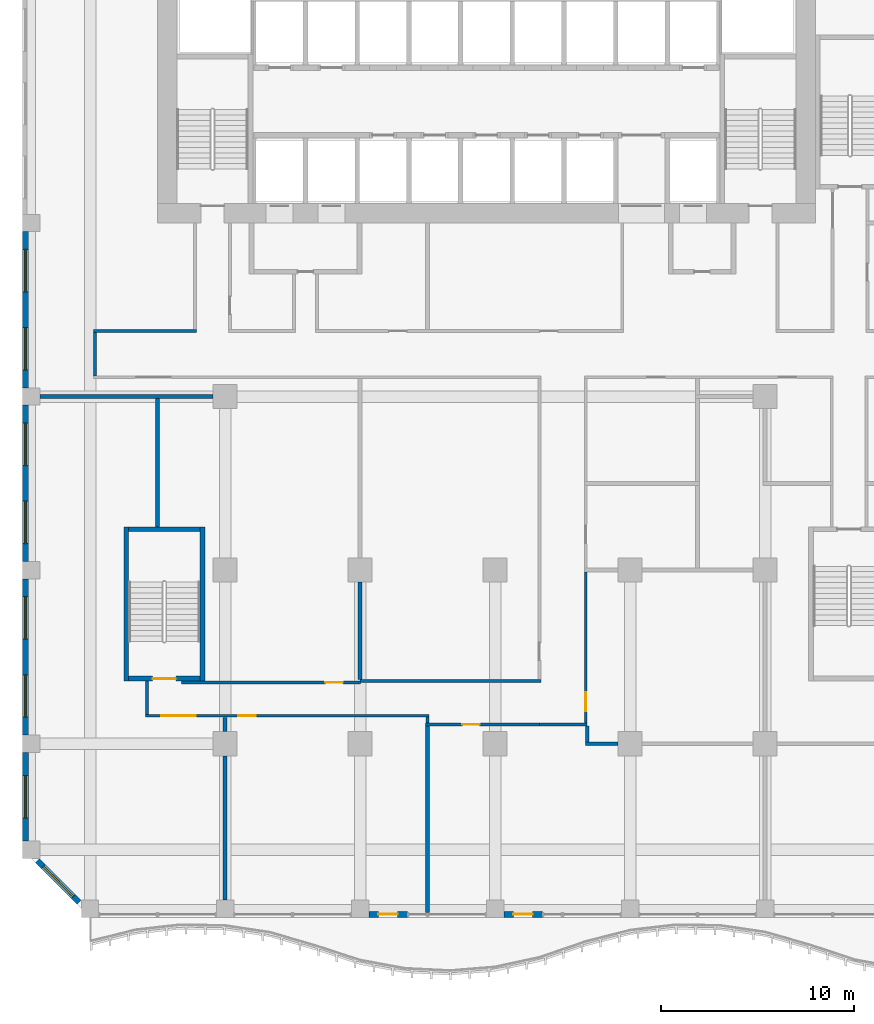
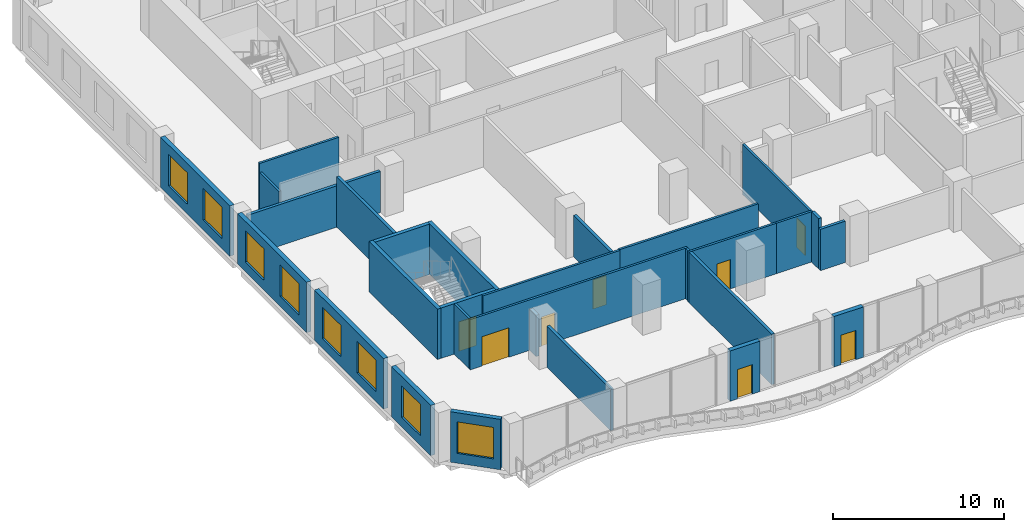
# One storey, part 12 of 21: 29 walls, 8 doors, 8 windows, 16 openings.
"""IFC4 building model written with IfcOpenShell, lengths in metres."""

import ifcopenshell
import ifcopenshell.guid

model = None  # the IFC model being written
_history = None  # IfcOwnerHistory: only IFC2X3 demands one
_inside = {}  # id of a spatial element -> (the spatial element, [elements in it])
_under = {}  # id of a project, library or spatial element -> (it, [spatial elements below it])
_declared = {}  # id of a project -> (the project, [libraries it declares])
_typed = {}  # id of a type object -> (the type object, [elements of that type])
_made_of = {}  # id of a material, layer set ... -> (it, [elements and type objects made of it])


def new_model(schema):
    """Start an empty IFC model of exactly this schema.

    Asked for "IFC4X3", IfcOpenShell would pick the latest addendum, in which some entities
    have other attributes; the version numbers below select the first issue.
    IFC2X3 requires an IfcOwnerHistory on every rooted entity: one is made here for all.
    """
    global model, _history
    if schema == "IFC4X3":
        model = ifcopenshell.file(schema_version=(4, 3, 0, 0))
    else:
        model = ifcopenshell.file(schema=schema)
    _inside.clear()
    _under.clear()
    _declared.clear()
    _typed.clear()
    _made_of.clear()
    _history = None
    if model.schema == "IFC2X3":
        org = make("IfcOrganization", Name="unknown")
        user = make(
            "IfcPersonAndOrganization",
            ThePerson=make("IfcPerson", FamilyName="unknown"),
            TheOrganization=org,
        )
        app = make(
            "IfcApplication",
            ApplicationDeveloper=org,
            Version="unknown",
            ApplicationFullName="unknown",
            ApplicationIdentifier="unknown",
        )
        _history = make(
            "IfcOwnerHistory",
            OwningUser=user,
            OwningApplication=app,
            ChangeAction="ADDED",
            CreationDate=0,
        )
    return model


def make(cls, **values):
    """One entity of the class cls with the attributes given. An attribute that is None is left unset."""
    return model.create_entity(
        cls, **{name: value for name, value in values.items() if value is not None}
    )


def rooted(cls, **values):
    """An entity with a GlobalId (a new one), such as an element, a storey or a relation."""
    return make(cls, GlobalId=ifcopenshell.guid.new(), OwnerHistory=_history, **values)


def si_unit(unit_type, name, prefix=None):
    """IfcSIUnit, for example si_unit("LENGTHUNIT", "METRE", prefix="MILLI")."""
    return make("IfcSIUnit", UnitType=unit_type, Prefix=prefix, Name=name)


def assignment(units):
    """IfcUnitAssignment: the units of a project."""
    return None if units is None else make("IfcUnitAssignment", Units=units)


def point(xyz):
    """IfcCartesianPoint."""
    return None if xyz is None else make("IfcCartesianPoint", Coordinates=xyz)


def direction(xyz):
    """IfcDirection."""
    return None if xyz is None else make("IfcDirection", DirectionRatios=xyz)


def frame(location, z_axis=None, x_axis=None):
    """IfcAxis2Placement3D, a coordinate frame: its origin and axes. An axis left out is left unset."""
    return make(
        "IfcAxis2Placement3D",
        Location=point(location),
        Axis=direction(z_axis),
        RefDirection=direction(x_axis),
    )


def frame_2d(location, x_axis=None):
    """IfcAxis2Placement2D, a coordinate frame in the plane: its origin and x axis."""
    return make(
        "IfcAxis2Placement2D", Location=point(location), RefDirection=direction(x_axis)
    )


def origin():
    """The frame at (0, 0, 0) with its axes left unset."""
    return frame((0.0, 0.0, 0.0))


def place(relative_to, where):
    """IfcLocalPlacement: puts the frame where relative to a parent placement (None: the world)."""
    return make(
        "IfcLocalPlacement", PlacementRelTo=relative_to, RelativePlacement=where
    )


def context(
    kind, dimensions, precision=None, world=None, true_north=None, identifier=None
):
    """IfcGeometricRepresentationContext, for example the 3D "Model" context."""
    return make(
        "IfcGeometricRepresentationContext",
        ContextIdentifier=identifier,
        ContextType=kind,
        CoordinateSpaceDimension=dimensions,
        Precision=precision,
        WorldCoordinateSystem=world,
        TrueNorth=true_north,
    )


def subcontext(parent, identifier, kind, view, scale=None):
    """IfcGeometricRepresentationSubContext, for example "Body" below "Model"."""
    return make(
        "IfcGeometricRepresentationSubContext",
        ContextIdentifier=identifier,
        ContextType=kind,
        ParentContext=parent,
        TargetScale=scale,
        TargetView=view,
    )


def project(units=None, contexts=None):
    """IfcProject with its units and contexts."""
    return rooted(
        "IfcProject",
        Name="project",
        RepresentationContexts=contexts,
        UnitsInContext=assignment(units),
    )


def spatial(cls, under=None, at=None, **own):
    """A site, building, storey or space (cls), placed at a placement, below another one or the project."""
    s = rooted(cls, ObjectPlacement=at, **own)
    if under is not None:
        _under.setdefault(under.id(), (under, []))[1].append(s)
    return s


def profile(cls, at=None, kind="AREA", **sizes):
    """A parametric profile (cls). Its sizes go by their IFC names, for example OverallWidth=200.0."""
    return make(cls, ProfileType=kind, Position=at, **sizes)


def rectangle(**sizes):
    """IfcRectangleProfileDef."""
    return profile("IfcRectangleProfileDef", **sizes)


def extrude(swept, where, along, depth):
    """IfcExtrudedAreaSolid: the profile swept, set in the frame where, extruded along a direction by depth."""
    return make(
        "IfcExtrudedAreaSolid",
        SweptArea=swept,
        Position=where,
        ExtrudedDirection=direction(along),
        Depth=depth,
    )


def shape(context_of_items, identifier, shape_type, items):
    """IfcShapeRepresentation: the items that make up one representation, for example the "Body"."""
    return make(
        "IfcShapeRepresentation",
        ContextOfItems=context_of_items,
        RepresentationIdentifier=identifier,
        RepresentationType=shape_type,
        Items=items,
    )


def source(mapping_origin, context_of_items, identifier, shape_type, items):
    """IfcRepresentationMap: a shape defined once, which mapped items show again and again."""
    return make(
        "IfcRepresentationMap",
        MappingOrigin=mapping_origin,
        MappedRepresentation=shape(context_of_items, identifier, shape_type, items),
    )


def transform(
    local_origin,
    x_axis=None,
    y_axis=None,
    z_axis=None,
    scale=None,
    scale2=None,
    scale3=None,
    uniform=True,
):
    """IfcCartesianTransformationOperator3D, or its non-uniform kind. x_axis, y_axis, z_axis: its Axis1, 2, 3."""
    if uniform:
        return make(
            "IfcCartesianTransformationOperator3D",
            Axis1=direction(x_axis),
            Axis2=direction(y_axis),
            LocalOrigin=point(local_origin),
            Scale=scale,
            Axis3=direction(z_axis),
        )
    return make(
        "IfcCartesianTransformationOperator3DnonUniform",
        Axis1=direction(x_axis),
        Axis2=direction(y_axis),
        LocalOrigin=point(local_origin),
        Scale=scale,
        Axis3=direction(z_axis),
        Scale2=scale2,
        Scale3=scale3,
    )


def mapped(mapping_source, mapping_target):
    """IfcMappedItem: shows the shape of a source again, moved by a transform."""
    return make(
        "IfcMappedItem", MappingSource=mapping_source, MappingTarget=mapping_target
    )


def material(Name=None, Category=None):
    """IfcMaterial."""
    return make("IfcMaterial", Name=Name, Category=Category)


def layer(
    of_material, thickness, ventilated=None, Name=None, Category=None, Priority=None
):
    """IfcMaterialLayer: one layer of a wall or slab, of a material (None: an air gap)."""
    return make(
        "IfcMaterialLayer",
        Material=of_material,
        LayerThickness=thickness,
        IsVentilated=ventilated,
        Name=Name,
        Category=Category,
        Priority=Priority,
    )


def layer_set(layers, Name=None):
    """IfcMaterialLayerSet."""
    return make("IfcMaterialLayerSet", MaterialLayers=layers, LayerSetName=Name)


def made_of(thing, what):
    """Note that an element or type object is made of a material, layer set ...; save() writes the relation."""
    if what is not None:
        _made_of.setdefault(what.id(), (what, []))[1].append(thing)
    return thing


def type_object(cls, material=None, **own):
    """A type object (cls), such as IfcWallType, which elements share."""
    return made_of(rooted(cls, **own), material)


def element(
    cls,
    number,
    at=None,
    inside=None,
    cuts=None,
    type_object=None,
    material=None,
    context=None,
    identifier="Body",
    shape_type=None,
    held_by="IfcProductDefinitionShape",
    body=None,
    shapes=None,
    **own,
):
    """One element of the class cls, such as IfcWall. Its Tag is "e" and its number.

    at: its placement. inside: the storey or other place that contains it. cuts: it is an
    opening in that element (IfcRelVoidsElement). A single representation is given by context,
    identifier, shape_type and body (its items); several are given by shapes. held_by: the class
    of the entity that holds the representations. save() writes the other relations.
    """
    e = rooted(cls, Tag="e%d" % number, ObjectPlacement=at, **own)
    if body is not None:
        shapes = [shape(context, identifier, shape_type, body)]
    if shapes is not None:
        e.Representation = make(held_by, Representations=shapes)
    if inside is not None:
        _inside.setdefault(inside.id(), (inside, []))[1].append(e)
    if cuts is not None:
        rooted(
            "IfcRelVoidsElement", RelatingBuildingElement=cuts, RelatedOpeningElement=e
        )
    if type_object is not None:
        _typed.setdefault(type_object.id(), (type_object, []))[1].append(e)
    return made_of(e, material)


def fill(opening, filler):
    """IfcRelFillsElement: the door or window that sits in an opening."""
    return rooted(
        "IfcRelFillsElement",
        RelatingOpeningElement=opening,
        RelatedBuildingElement=filler,
    )


def aggregate(whole, parts):
    """IfcRelAggregates: a whole, such as a stair, and the parts it consists of."""
    return rooted("IfcRelAggregates", RelatingObject=whole, RelatedObjects=parts)


def save(model, path):
    """Write the relations noted so far, then the file.

    IfcRelAggregates (storeys below a building ...), IfcRelContainedInSpatialStructure (elements
    in a storey), IfcRelDefinesByType, IfcRelAssociatesMaterial and IfcRelDeclares: one each for
    every whole, place, type object, material and project.
    """
    for whole, parts in _under.values():
        aggregate(whole, parts)
    for where, things in _inside.values():
        rooted(
            "IfcRelContainedInSpatialStructure",
            RelatedElements=things,
            RelatingStructure=where,
        )
    for kind, things in _typed.values():
        rooted("IfcRelDefinesByType", RelatedObjects=things, RelatingType=kind)
    for what, things in _made_of.values():
        rooted("IfcRelAssociatesMaterial", RelatedObjects=things, RelatingMaterial=what)
    for by, libraries in _declared.values():
        rooted("IfcRelDeclares", RelatingContext=by, RelatedDefinitions=libraries)
    model.write(path)


model = new_model("IFC4")

# Units and contexts
model_context = context("Model", 3, precision=1e-05, world=origin(), true_north=direction((0.0, 1.0)))
body_context = subcontext(model_context, "Body", "Model", "MODEL_VIEW")
ifc_project = project(units=[si_unit("LENGTHUNIT", "METRE"), si_unit("AREAUNIT", "SQUARE_METRE"), si_unit("VOLUMEUNIT", "CUBIC_METRE"), si_unit("PLANEANGLEUNIT", "RADIAN"), si_unit("MASSUNIT", "GRAM", prefix="KILO")], contexts=[model_context])

# Site, building, storey
site_placement = place(None, origin())
site = spatial("IfcSite", under=ifc_project, at=site_placement, CompositionType="ELEMENT")
building_placement = place(site_placement, origin())
building = spatial("IfcBuilding", under=site, at=building_placement, Name="Kilnfold Tower and Market Hall", CompositionType="ELEMENT")
storey_placement = place(building_placement, frame((0.0, 0.0, 91.199951171875)))
storey = spatial("IfcBuildingStorey", under=building, at=storey_placement, Name="L21", CompositionType="ELEMENT", Elevation=91.199951171875)

# Wall, openings, doors
ifc_material_1 = material(Name="Gypsum board on steel studs", Category="steel")
ifc_layer_1 = layer(ifc_material_1, 0.14990234375)
ifc_layer_set_1 = layer_set([ifc_layer_1], Name="Gypsum board on steel studs")
wall_type_1 = type_object("IfcWallType", Name="WALL CORRIDOR 150", PredefinedType="PARTITIONING", material=ifc_layer_set_1)
wall_1_placement = place(storey_placement, frame((-16.625, -17.550048828125, 0.0), z_axis=(0.0, 0.0, 1.0), x_axis=(1.0, 0.0, 0.0)))
wall_1 = element("IfcWall", 1, at=wall_1_placement, inside=storey, type_object=wall_type_1, Name="Partition LY14.1", PredefinedType="PARTITIONING", context=body_context, shape_type="SweptSolid", body=[
    extrude(rectangle(XDim=14.697998046875, YDim=0.14990234375, at=frame_2d((7.34912109375, 0.0))), origin(), (0.0, 0.0, 1.0), 3.60009765625),
])
opening_1_placement = place(wall_1_placement, frame((0.81103515625, 0.0, 0.0)))
opening_1 = element("IfcOpeningElement", 2, at=opening_1_placement, cuts=wall_1, Name="Opening D5", PredefinedType="OPENING", context=body_context, shape_type="SweptSolid", body=[
    extrude(rectangle(XDim=1.800048828125, YDim=2.10009765625, at=frame_2d((0.89990234375, 1.050048828125))), frame((0.0, 0.0849609375, 0.0), z_axis=(0.0, -1.0, 0.0), x_axis=(1.0, 0.0, 0.0)), (0.0, 0.0, 1.0), 0.169921875),
])
opening_2_placement = place(wall_1_placement, frame((4.820068359375, 0.0, 0.0)))
opening_2 = element("IfcOpeningElement", 3, at=opening_2_placement, cuts=wall_1, Name="Opening D2", PredefinedType="OPENING", context=body_context, shape_type="SweptSolid", body=[
    extrude(rectangle(XDim=0.89990234375, YDim=2.10009765625, at=frame_2d((0.449951171875, 1.050048828125))), frame((0.0, 0.0849609375, 0.0), z_axis=(0.0, -1.0, 0.0), x_axis=(1.0, 0.0, 0.0)), (0.0, 0.0, 1.0), 0.169921875),
])
ifc_material_2 = material(Name="Timber veneer door leaf in steel frame", Category="steel")
door_type_1 = type_object("IfcDoorType", Name="DOOR DOUBLE 1800 X2100", OperationType="NOTDEFINED", PredefinedType="DOOR", material=ifc_material_2)
door_1_placement = place(opening_1_placement, origin())
door_1 = element("IfcDoor", 4, at=door_1_placement, inside=storey, type_object=door_type_1, Name="Door D5", OperationType="DOUBLE_DOOR_SINGLE_SWING", OverallHeight=2.10009765625, OverallWidth=1.800048828125, PredefinedType="DOOR", context=body_context, shape_type="SweptSolid", body=[
    extrude(rectangle(XDim=1.800048828125, YDim=2.10009765625, at=frame_2d((0.89990234375, 1.050048828125))), frame((0.0, 0.02490234375, 0.0), z_axis=(0.0, -1.0, 0.0), x_axis=(1.0, 0.0, 0.0)), (0.0, 0.0, 1.0), 0.050048828125),
])
fill(opening_1, door_1)
ifc_material_3 = material(Name="Timber veneer door leaf in steel frame", Category="steel")
door_type_2 = type_object("IfcDoorType", Name="DOOR ROOM 900 X2100", OperationType="NOTDEFINED", PredefinedType="DOOR", material=ifc_material_3)
door_2_placement = place(opening_2_placement, origin())
door_2 = element("IfcDoor", 5, at=door_2_placement, inside=storey, type_object=door_type_2, Name="Door D2", OperationType="SINGLE_SWING_RIGHT", OverallHeight=2.10009765625, OverallWidth=0.89990234375, PredefinedType="DOOR", context=body_context, shape_type="SweptSolid", body=[
    extrude(rectangle(XDim=0.89990234375, YDim=2.10009765625, at=frame_2d((0.449951171875, 1.050048828125))), frame((0.0, 0.02490234375, 0.0), z_axis=(0.0, -1.0, 0.0), x_axis=(1.0, 0.0, 0.0)), (0.0, 0.0, 1.0), 0.050048828125),
])
fill(opening_2, door_2)

# Walls
wall_2_placement = place(storey_placement, frame((-16.550048828125, -15.75, 0.0), z_axis=(0.0, 0.0, 1.0), x_axis=(0.0, -1.0, 0.0)))
element("IfcWall", 6, at=wall_2_placement, inside=storey, type_object=wall_type_1, Name="Partition LY14.2", PredefinedType="PARTITIONING", context=body_context, shape_type="SweptSolid", body=[
    extrude(rectangle(XDim=1.72509765625, YDim=0.14990234375, at=frame_2d((0.862548828125, 0.0))), origin(), (0.0, 0.0, 1.0), 3.60009765625),
])
wall_3_placement = place(storey_placement, frame((-2.001953125, -17.625, 0.0), z_axis=(0.0, 0.0, 1.0), x_axis=(0.0, -1.0, 0.0)))
element("IfcWall", 7, at=wall_3_placement, inside=storey, type_object=wall_type_1, Name="Partition LY14.3", PredefinedType="PARTITIONING", context=body_context, shape_type="SweptSolid", body=[
    extrude(rectangle(XDim=0.302001953125, YDim=0.14990234375, at=frame_2d((0.15087890625, 0.0))), origin(), (0.0, 0.0, 1.0), 3.60009765625),
])
wall_4_placement = place(storey_placement, frame((3.802001953125, -18.0, 0.0), z_axis=(0.0, 0.0, 1.0), x_axis=(1.0, 0.0, 0.0)))
element("IfcWall", 8, at=wall_4_placement, inside=storey, type_object=wall_type_1, Name="Partition LY14.4", PredefinedType="PARTITIONING", context=body_context, shape_type="SweptSolid", body=[
    extrude(rectangle(XDim=2.472900390625, YDim=0.14990234375, at=frame_2d((1.236328125, 0.0))), origin(), (0.0, 0.0, 1.0), 3.60009765625),
])

# Wall, opening, door
wall_5_placement = place(storey_placement, frame((-2.10205078125, -18.001953125, 0.0), z_axis=(0.0, 0.0, 1.0), x_axis=(1.0, 0.0, 0.0)))
wall_5 = element("IfcWall", 9, at=wall_5_placement, inside=storey, type_object=wall_type_1, Name="Partition LY14.5", PredefinedType="PARTITIONING", context=body_context, shape_type="SweptSolid", body=[
    extrude(rectangle(XDim=5.904052734375, YDim=0.14990234375, at=frame_2d((2.9521484375, 0.0))), origin(), (0.0, 0.0, 1.0), 3.60009765625),
])
opening_3_placement = place(wall_5_placement, frame((1.90087890625, 0.0, 0.0)))
opening_3 = element("IfcOpeningElement", 10, at=opening_3_placement, cuts=wall_5, Name="Opening D2", PredefinedType="OPENING", context=body_context, shape_type="SweptSolid", body=[
    extrude(rectangle(XDim=0.89990234375, YDim=2.10009765625, at=frame_2d((0.449951171875, 1.050048828125))), frame((0.0, 0.0849609375, 0.0), z_axis=(0.0, -1.0, 0.0), x_axis=(1.0, 0.0, 0.0)), (0.0, 0.0, 1.0), 0.169921875),
])
door_3_placement = place(opening_3_placement, origin())
door_3 = element("IfcDoor", 11, at=door_3_placement, inside=storey, type_object=door_type_2, Name="Door D2", OperationType="SINGLE_SWING_RIGHT", OverallHeight=2.10009765625, OverallWidth=0.89990234375, PredefinedType="DOOR", context=body_context, shape_type="SweptSolid", body=[
    extrude(rectangle(XDim=0.89990234375, YDim=2.10009765625, at=frame_2d((0.449951171875, 1.050048828125))), frame((0.0, 0.02490234375, 0.0), z_axis=(0.0, -1.0, 0.0), x_axis=(1.0, 0.0, 0.0)), (0.0, 0.0, 1.0), 0.050048828125),
])
fill(opening_3, door_3)

# Walls
wall_6_placement = place(storey_placement, frame((-19.25, 2.324951171875, 0.0), z_axis=(0.0, 0.0, 1.0), x_axis=(0.0, -1.0, 0.0)))
element("IfcWall", 12, at=wall_6_placement, inside=storey, type_object=wall_type_1, Name="Partition LY14.7", PredefinedType="PARTITIONING", context=body_context, shape_type="SweptSolid", body=[
    extrude(rectangle(XDim=2.25, YDim=0.14990234375, at=frame_2d((1.125, 0.0))), origin(), (0.0, 0.0, 1.0), 2.949951171875),
])
wall_7_placement = place(storey_placement, frame((-19.324951171875, 2.39990234375, 0.0), z_axis=(0.0, 0.0, 1.0), x_axis=(1.0, 0.0, 0.0)))
element("IfcWall", 13, at=wall_7_placement, inside=storey, type_object=wall_type_1, Name="Partition LY14.8", PredefinedType="PARTITIONING", context=body_context, shape_type="SweptSolid", body=[
    extrude(rectangle(XDim=5.349853515625, YDim=0.14990234375, at=frame_2d((2.6748046875, 0.0))), origin(), (0.0, 0.0, 1.0), 3.60009765625),
])

# Wall, opening, door
wall_8_placement = place(storey_placement, frame((-5.489990234375, -15.824951171875, 0.0), z_axis=(0.0, 0.0, 1.0), x_axis=(-1.0, 0.0, 0.0)))
wall_8 = element("IfcWall", 14, at=wall_8_placement, inside=storey, type_object=wall_type_1, Name="Partition LY14.10", PredefinedType="PARTITIONING", context=body_context, shape_type="SweptSolid", body=[
    extrude(rectangle(XDim=9.260009765625, YDim=0.14990234375, at=frame_2d((4.6298828125, 0.0))), origin(), (0.0, 0.0, 1.0), 3.60009765625),
])
opening_4_placement = place(wall_8_placement, frame((0.905029296875, 0.0, 0.0)))
opening_4 = element("IfcOpeningElement", 15, at=opening_4_placement, cuts=wall_8, Name="Opening D2", PredefinedType="OPENING", context=body_context, shape_type="SweptSolid", body=[
    extrude(rectangle(XDim=0.89990234375, YDim=2.10009765625, at=frame_2d((0.449951171875, 1.050048828125))), frame((0.0, 0.0849609375, 0.0), z_axis=(0.0, -1.0, 0.0), x_axis=(1.0, 0.0, 0.0)), (0.0, 0.0, 1.0), 0.169921875),
])
door_4_placement = place(opening_4_placement, origin())
door_4 = element("IfcDoor", 16, at=door_4_placement, inside=storey, type_object=door_type_2, Name="Door D2", OperationType="SINGLE_SWING_RIGHT", OverallHeight=2.10009765625, OverallWidth=0.89990234375, PredefinedType="DOOR", context=body_context, shape_type="SweptSolid", body=[
    extrude(rectangle(XDim=0.89990234375, YDim=2.10009765625, at=frame_2d((0.449951171875, 1.050048828125))), frame((0.0, 0.02490234375, 0.0), z_axis=(0.0, -1.0, 0.0), x_axis=(1.0, 0.0, 0.0)), (0.0, 0.0, 1.0), 0.050048828125),
])
fill(opening_4, door_4)

# Wall
wall_9_placement = place(storey_placement, frame((3.875, -15.75, 0.0), z_axis=(0.0, 0.0, 1.0), x_axis=(-1.0, 0.0, 0.0)))
element("IfcWall", 17, at=wall_9_placement, inside=storey, type_object=wall_type_1, Name="Partition LY14.11", PredefinedType="PARTITIONING", context=body_context, shape_type="SweptSolid", body=[
    extrude(rectangle(XDim=9.385009765625, YDim=0.14990234375, at=frame_2d((4.6923828125, 0.0))), origin(), (0.0, 0.0, 1.0), 3.60009765625),
])

# Wall, opening, door
wall_10_placement = place(storey_placement, frame((6.199951171875, -17.925048828125, 0.0), z_axis=(0.0, 0.0, 1.0), x_axis=(0.0, 1.0, 0.0)))
wall_10 = element("IfcWall", 18, at=wall_10_placement, inside=storey, type_object=wall_type_1, Name="Partition LY14.19", PredefinedType="PARTITIONING", context=body_context, shape_type="SweptSolid", body=[
    extrude(rectangle(XDim=7.8349609375, YDim=0.14990234375, at=frame_2d((3.91748046875, 0.0))), origin(), (0.0, 0.0, 1.0), 3.60009765625),
])
opening_5_placement = place(wall_10_placement, frame((0.60205078125, 0.0, 0.0)))
opening_5 = element("IfcOpeningElement", 19, at=opening_5_placement, cuts=wall_10, Name="Opening D1", PredefinedType="OPENING", context=body_context, shape_type="SweptSolid", body=[
    extrude(rectangle(XDim=1.0, YDim=2.10009765625, at=frame_2d((0.5, 1.050048828125))), frame((0.0, 0.0849609375, 0.0), z_axis=(0.0, -1.0, 0.0), x_axis=(1.0, 0.0, 0.0)), (0.0, 0.0, 1.0), 0.169921875),
])
ifc_material_4 = material(Name="Timber veneer door leaf in steel frame", Category="steel")
door_type_3 = type_object("IfcDoorType", Name="DOOR ENTRY 1000 X2100", OperationType="NOTDEFINED", PredefinedType="DOOR", material=ifc_material_4)
door_5_placement = place(opening_5_placement, origin())
door_5 = element("IfcDoor", 20, at=door_5_placement, inside=storey, type_object=door_type_3, Name="Door D1", OperationType="SINGLE_SWING_LEFT", OverallHeight=2.10009765625, OverallWidth=1.0, PredefinedType="DOOR", context=body_context, shape_type="SweptSolid", body=[
    extrude(rectangle(XDim=1.0, YDim=2.10009765625, at=frame_2d((0.5, 1.050048828125))), frame((0.0, 0.02490234375, 0.0), z_axis=(0.0, -1.0, 0.0), x_axis=(1.0, 0.0, 0.0)), (0.0, 0.0, 1.0), 0.050048828125),
])
fill(opening_5, door_5)

# Walls
ifc_material_5 = material(Name="Gypsum board on steel studs", Category="steel")
ifc_layer_2 = layer(ifc_material_5, 0.199951171875)
ifc_layer_set_2 = layer_set([ifc_layer_2], Name="Gypsum board on steel studs")
wall_type_2 = type_object("IfcWallType", Name="WALL PARTY 200", PredefinedType="PARTITIONING", material=ifc_layer_set_2)
wall_11_placement = place(storey_placement, frame((-12.5, -18.375, 0.0), z_axis=(0.0, 0.0, 1.0), x_axis=(0.0, 1.0, 0.0)))
element("IfcWall", 21, at=wall_11_placement, inside=storey, type_object=wall_type_2, Name="Partition LY14.45", PredefinedType="PARTITIONING", context=body_context, shape_type="SweptSolid", body=[
    extrude(rectangle(XDim=0.7490234375, YDim=0.199951171875, at=frame_2d((0.37451171875, 0.0))), origin(), (0.0, 0.0, 1.0), 2.949951171875),
])
wall_12_placement = place(storey_placement, frame((-12.5, -27.10009765625, 0.0), z_axis=(0.0, 0.0, 1.0), x_axis=(0.0, 1.0, 0.0)))
element("IfcWall", 22, at=wall_12_placement, inside=storey, type_object=wall_type_2, Name="Partition LY14.46", PredefinedType="PARTITIONING", context=body_context, shape_type="SweptSolid", body=[
    extrude(rectangle(XDim=7.47509765625, YDim=0.199951171875, at=frame_2d((3.737548828125, 0.0))), origin(), (0.0, 0.0, 1.0), 2.949951171875),
])
wall_13_placement = place(storey_placement, frame((-22.10009765625, -1.0, 0.0), z_axis=(0.0, 0.0, 1.0), x_axis=(1.0, 0.0, 0.0)))
element("IfcWall", 23, at=wall_13_placement, inside=storey, type_object=wall_type_2, Name="Partition LY14.47", PredefinedType="PARTITIONING", context=body_context, shape_type="SweptSolid", body=[
    extrude(rectangle(XDim=8.97509765625, YDim=0.199951171875, at=frame_2d((4.487548828125, 0.0))), origin(), (0.0, 0.0, 1.0), 2.949951171875),
])
wall_14_placement = place(storey_placement, frame((-16.0, -7.75, 0.0), z_axis=(0.0, 0.0, 1.0), x_axis=(0.0, 1.0, 0.0)))
element("IfcWall", 24, at=wall_14_placement, inside=storey, type_object=wall_type_2, Name="Partition LY14.48", PredefinedType="PARTITIONING", context=body_context, shape_type="SweptSolid", body=[
    extrude(rectangle(XDim=6.64990234375, YDim=0.199951171875, at=frame_2d((3.324951171875, 0.0))), origin(), (0.0, 0.0, 1.0), 3.60009765625),
])
wall_15_placement = place(storey_placement, frame((-2.0, -27.75, 0.0), z_axis=(0.0, 0.0, 1.0), x_axis=(0.0, 1.0, 0.0)))
element("IfcWall", 25, at=wall_15_placement, inside=storey, type_object=wall_type_2, Name="Partition LY14.49", PredefinedType="PARTITIONING", context=body_context, shape_type="SweptSolid", body=[
    extrude(rectangle(XDim=9.68310546875, YDim=0.199951171875, at=frame_2d((4.841552734375, 0.0))), origin(), (0.0, 0.0, 1.0), 3.60009765625),
])
wall_16_placement = place(storey_placement, frame((6.277099609375, -18.89990234375, 0.0), z_axis=(0.0, 0.0, 1.0), x_axis=(0.0, 1.0, 0.0)))
element("IfcWall", 26, at=wall_16_placement, inside=storey, type_object=wall_type_2, Name="Partition LY14.50", PredefinedType="PARTITIONING", context=body_context, shape_type="SweptSolid", body=[
    extrude(rectangle(XDim=0.824951171875, YDim=0.199951171875, at=frame_2d((0.41259765625, 0.0))), origin(), (0.0, 0.0, 1.0), 3.60009765625),
])
wall_17_placement = place(storey_placement, frame((6.177001953125, -19.0, 0.0), z_axis=(0.0, 0.0, 1.0), x_axis=(1.0, 0.0, 0.0)))
element("IfcWall", 27, at=wall_17_placement, inside=storey, type_object=wall_type_2, Name="Partition LY14.51", PredefinedType="PARTITIONING", context=body_context, shape_type="SweptSolid", body=[
    extrude(rectangle(XDim=1.697998046875, YDim=0.199951171875, at=frame_2d((0.84912109375, 0.0))), origin(), (0.0, 0.0, 1.0), 2.949951171875),
])
wall_18_placement = place(storey_placement, frame((-5.5, -15.674072265625, 0.0), z_axis=(0.0, 0.0, 1.0), x_axis=(0.0, 1.0, 0.0)))
element("IfcWall", 28, at=wall_18_placement, inside=storey, type_object=wall_type_2, Name="Partition LY14.57", PredefinedType="PARTITIONING", context=body_context, shape_type="SweptSolid", body=[
    extrude(rectangle(XDim=5.049072265625, YDim=0.199951171875, at=frame_2d((2.5244140625, 0.0))), origin(), (0.0, 0.0, 1.0), 2.949951171875),
])

# Wall, opening, door
ifc_material_6 = material(Name="Concrete C80", Category="concrete")
ifc_layer_3 = layer(ifc_material_6, 0.25)
ifc_layer_set_3 = layer_set([ifc_layer_3], Name="Concrete C80")
wall_type_3 = type_object("IfcWallType", Name="CORE WALL 250 C80", PredefinedType="SHEAR", material=ifc_layer_set_3)
shared_shape_1 = source(origin(), body_context, "Body", "SweptSolid", [
    extrude(rectangle(XDim=3.699951171875, YDim=0.25, at=frame_2d((1.85009765625, 0.0))), origin(), (0.0, 0.0, 1.0), 3.60009765625),
])
wall_19_placement = place(storey_placement, frame((-17.5, -15.625, 0.0), z_axis=(0.0, 0.0, 1.0), x_axis=(1.0, 0.0, 0.0)))
wall_19 = element("IfcWall", 29, at=wall_19_placement, inside=storey, type_object=wall_type_3, Name="Stair enclosure ST3", PredefinedType="SHEAR", context=body_context, shape_type="MappedRepresentation", body=[
    mapped(shared_shape_1, transform((0.0, 0.0, 0.0))),
])
opening_6_placement = place(wall_19_placement, frame((1.25, 0.0, 0.0)))
opening_6 = element("IfcOpeningElement", 30, at=opening_6_placement, cuts=wall_19, Name="Opening SD1", PredefinedType="OPENING", context=body_context, shape_type="SweptSolid", body=[
    extrude(rectangle(XDim=1.199951171875, YDim=2.10009765625, at=frame_2d((0.60009765625, 1.050048828125))), frame((0.0, 0.135009765625, 0.0), z_axis=(0.0, -1.0, 0.0), x_axis=(1.0, 0.0, 0.0)), (0.0, 0.0, 1.0), 0.27001953125),
])
ifc_material_7 = material(Name="Steel door set with fire-resisting leaf", Category="steel")
door_type_4 = type_object("IfcDoorType", Name="STAIR FLOOR DOOR 1200X2100", OperationType="NOTDEFINED", PredefinedType="DOOR", material=ifc_material_7)
door_6_placement = place(opening_6_placement, origin())
door_6 = element("IfcDoor", 31, at=door_6_placement, inside=storey, type_object=door_type_4, Name="Exit stair ST3 door", OperationType="DOUBLE_DOOR_SINGLE_SWING", OverallHeight=2.10009765625, OverallWidth=1.199951171875, PredefinedType="DOOR", context=body_context, shape_type="SweptSolid", body=[
    extrude(rectangle(XDim=1.199951171875, YDim=2.10009765625, at=frame_2d((0.60009765625, 1.050048828125))), frame((0.0, 0.02490234375, 0.0), z_axis=(0.0, -1.0, 0.0), x_axis=(1.0, 0.0, 0.0)), (0.0, 0.0, 1.0), 0.050048828125),
])
fill(opening_6, door_6)

# Walls
wall_20_placement = place(storey_placement, frame((-17.5, -7.875, 0.0), z_axis=(0.0, 0.0, 1.0), x_axis=(1.0, 0.0, 0.0)))
element("IfcWall", 32, at=wall_20_placement, inside=storey, type_object=wall_type_3, Name="Stair enclosure ST3", PredefinedType="SHEAR", context=body_context, shape_type="MappedRepresentation", body=[
    mapped(shared_shape_1, transform((0.0, 0.0, 0.0))),
])
shared_shape_2 = source(origin(), body_context, "Body", "SweptSolid", [
    extrude(rectangle(XDim=8.0, YDim=0.25, at=frame_2d((4.0, 0.0))), origin(), (0.0, 0.0, 1.0), 3.60009765625),
])
for number, where, z_axis, x_axis, name in (
    (33, (-17.625, -15.75, 0.0), (0.0, 0.0, 1.0), (0.0, 1.0, 0.0), "Stair enclosure ST3"),
    (34, (-13.675048828125, -15.75, 0.0), (0.0, 0.0, 1.0), (0.0, 1.0, 0.0), "Stair enclosure ST3"),
):
    element("IfcWall", number, at=place(storey_placement, frame(where, z_axis=z_axis, x_axis=x_axis)), inside=storey, type_object=wall_type_3, Name=name, PredefinedType="SHEAR", context=body_context, shape_type="MappedRepresentation", body=[
        mapped(shared_shape_2, transform((0.0, 0.0, 0.0))),
    ])

# Wall, opening, door
ifc_material_8 = material(Name="Precast concrete C50/60", Category="concrete")
ifc_layer_4 = layer(ifc_material_8, 0.300048828125)
ifc_layer_set_4 = layer_set([ifc_layer_4], Name="Precast concrete C50/60")
wall_type_4 = type_object("IfcWallType", Name="PRECAST WALL 300", PredefinedType="SOLIDWALL", material=ifc_layer_set_4)
shared_shape_3 = source(origin(), body_context, "Body", "SweptSolid", [
    extrude(rectangle(XDim=2.0, YDim=0.300048828125, at=frame_2d((1.0, 0.0))), origin(), (0.0, 0.0, 1.0), 3.60009765625),
])
wall_21_placement = place(storey_placement, frame((-5.050048828125, -27.85009765625, 0.0), z_axis=(0.0, 0.0, 1.0), x_axis=(1.0, 0.0, 0.0)))
wall_21 = element("IfcWall", 35, at=wall_21_placement, inside=storey, type_object=wall_type_4, Name="External wall L21 S", PredefinedType="SOLIDWALL", context=body_context, shape_type="MappedRepresentation", body=[
    mapped(shared_shape_3, transform((0.0, 0.0, 0.0))),
])
opening_7_placement = place(wall_21_placement, frame((0.5, 0.0, 0.0)))
opening_7 = element("IfcOpeningElement", 36, at=opening_7_placement, cuts=wall_21, Name="Opening BD1", PredefinedType="OPENING", context=body_context, shape_type="SweptSolid", body=[
    extrude(rectangle(XDim=1.0, YDim=2.10009765625, at=frame_2d((0.5, 1.050048828125))), frame((0.0, 0.16015625, 0.0), z_axis=(0.0, -1.0, 0.0), x_axis=(1.0, 0.0, 0.0)), (0.0, 0.0, 1.0), 0.320068359375),
])
ifc_material_9 = material(Name="Aluminium frame and double glazing", Category="aluminium")
door_type_5 = type_object("IfcDoorType", Name="BALCONY DOOR 1000X2100", OperationType="NOTDEFINED", PredefinedType="DOOR", material=ifc_material_9)
door_7_placement = place(opening_7_placement, origin())
door_7 = element("IfcDoor", 37, at=door_7_placement, inside=storey, type_object=door_type_5, Name="Balcony door BD1 L21 S-1", OperationType="SINGLE_SWING_LEFT", OverallHeight=2.10009765625, OverallWidth=1.0, PredefinedType="DOOR", context=body_context, shape_type="SweptSolid", body=[
    extrude(rectangle(XDim=1.0, YDim=2.10009765625, at=frame_2d((0.5, 1.050048828125))), frame((0.0, 0.02490234375, 0.0), z_axis=(0.0, -1.0, 0.0), x_axis=(1.0, 0.0, 0.0)), (0.0, 0.0, 1.0), 0.050048828125),
])
fill(opening_7, door_7)

wall_22_placement = place(storey_placement, frame((1.949951171875, -27.85009765625, 0.0), z_axis=(0.0, 0.0, 1.0), x_axis=(1.0, 0.0, 0.0)))
wall_22 = element("IfcWall", 38, at=wall_22_placement, inside=storey, type_object=wall_type_4, Name="External wall L21 S", PredefinedType="SOLIDWALL", context=body_context, shape_type="MappedRepresentation", body=[
    mapped(shared_shape_3, transform((0.0, 0.0, 0.0))),
])
opening_8_placement = place(wall_22_placement, frame((0.5, 0.0, 0.0)))
opening_8 = element("IfcOpeningElement", 39, at=opening_8_placement, cuts=wall_22, Name="Opening BD1", PredefinedType="OPENING", context=body_context, shape_type="SweptSolid", body=[
    extrude(rectangle(XDim=1.0, YDim=2.10009765625, at=frame_2d((0.5, 1.050048828125))), frame((0.0, 0.16015625, 0.0), z_axis=(0.0, -1.0, 0.0), x_axis=(1.0, 0.0, 0.0)), (0.0, 0.0, 1.0), 0.320068359375),
])
door_8_placement = place(opening_8_placement, origin())
door_8 = element("IfcDoor", 40, at=door_8_placement, inside=storey, type_object=door_type_5, Name="Balcony door BD1 L21 S-1", OperationType="SINGLE_SWING_LEFT", OverallHeight=2.10009765625, OverallWidth=1.0, PredefinedType="DOOR", context=body_context, shape_type="SweptSolid", body=[
    extrude(rectangle(XDim=1.0, YDim=2.10009765625, at=frame_2d((0.5, 1.050048828125))), frame((0.0, 0.02490234375, 0.0), z_axis=(0.0, -1.0, 0.0), x_axis=(1.0, 0.0, 0.0)), (0.0, 0.0, 1.0), 0.050048828125),
])
fill(opening_8, door_8)

# Wall, openings, windows
shared_shape_4 = source(origin(), body_context, "Body", "SweptSolid", [
    extrude(rectangle(XDim=8.10009765625, YDim=0.300048828125, at=frame_2d((4.050048828125, 0.0))), origin(), (0.0, 0.0, 1.0), 3.60009765625),
])
wall_23_placement = place(storey_placement, frame((-22.85009765625, 7.550048828125, 0.0), z_axis=(0.0, 0.0, 1.0), x_axis=(0.0, -1.0, 0.0)))
wall_23 = element("IfcWall", 41, at=wall_23_placement, inside=storey, type_object=wall_type_4, Name="External wall L21 W", PredefinedType="SOLIDWALL", context=body_context, shape_type="MappedRepresentation", body=[
    mapped(shared_shape_4, transform((0.0, 0.0, 0.0))),
])
opening_9_placement = place(wall_23_placement, frame((0.925048828125, 0.0, 0.699951171875)))
opening_9 = element("IfcOpeningElement", 42, at=opening_9_placement, cuts=wall_23, Name="Opening W1", PredefinedType="OPENING", context=body_context, shape_type="SweptSolid", body=[
    extrude(rectangle(XDim=2.199951171875, YDim=2.25, at=frame_2d((1.10009765625, 1.125))), frame((0.0, 0.16015625, 0.0), z_axis=(0.0, -1.0, 0.0), x_axis=(1.0, 0.0, 0.0)), (0.0, 0.0, 1.0), 0.320068359375),
])
opening_10_placement = place(wall_23_placement, frame((4.97509765625, 0.0, 0.699951171875)))
opening_10 = element("IfcOpeningElement", 43, at=opening_10_placement, cuts=wall_23, Name="Opening W1", PredefinedType="OPENING", context=body_context, shape_type="SweptSolid", body=[
    extrude(rectangle(XDim=2.199951171875, YDim=2.25, at=frame_2d((1.10009765625, 1.125))), frame((0.0, 0.16015625, 0.0), z_axis=(0.0, -1.0, 0.0), x_axis=(1.0, 0.0, 0.0)), (0.0, 0.0, 1.0), 0.320068359375),
])
ifc_material_10 = material(Name="Aluminium frame and double glazing", Category="aluminium")
window_type = type_object("IfcWindowType", Name="WINDOW W1 2200X2250", PartitioningType="SINGLE_PANEL", PredefinedType="WINDOW", material=ifc_material_10)
window_1_placement = place(opening_9_placement, origin())
window_1 = element("IfcWindow", 44, at=window_1_placement, inside=storey, type_object=window_type, Name="Window W1 L21 W-1", OverallHeight=2.25, OverallWidth=2.199951171875, PartitioningType="SINGLE_PANEL", PredefinedType="WINDOW", context=body_context, shape_type="SweptSolid", body=[
    extrude(rectangle(XDim=2.199951171875, YDim=2.25, at=frame_2d((1.10009765625, 1.125))), frame((0.0, 0.030029296875, 0.0), z_axis=(0.0, -1.0, 0.0), x_axis=(1.0, 0.0, 0.0)), (0.0, 0.0, 1.0), 0.06005859375),
])
fill(opening_9, window_1)
window_2_placement = place(opening_10_placement, origin())
window_2 = element("IfcWindow", 45, at=window_2_placement, inside=storey, type_object=window_type, Name="Window W1 L21 W-2", OverallHeight=2.25, OverallWidth=2.199951171875, PartitioningType="SINGLE_PANEL", PredefinedType="WINDOW", context=body_context, shape_type="SweptSolid", body=[
    extrude(rectangle(XDim=2.199951171875, YDim=2.25, at=frame_2d((1.10009765625, 1.125))), frame((0.0, 0.030029296875, 0.0), z_axis=(0.0, -1.0, 0.0), x_axis=(1.0, 0.0, 0.0)), (0.0, 0.0, 1.0), 0.06005859375),
])
fill(opening_10, window_2)

wall_24_placement = place(storey_placement, frame((-22.85009765625, -1.449951171875, 0.0), z_axis=(0.0, 0.0, 1.0), x_axis=(0.0, -1.0, 0.0)))
wall_24 = element("IfcWall", 46, at=wall_24_placement, inside=storey, type_object=wall_type_4, Name="External wall L21 W", PredefinedType="SOLIDWALL", context=body_context, shape_type="MappedRepresentation", body=[
    mapped(shared_shape_4, transform((0.0, 0.0, 0.0))),
])
opening_11_placement = place(wall_24_placement, frame((0.925048828125, 0.0, 0.699951171875)))
opening_11 = element("IfcOpeningElement", 47, at=opening_11_placement, cuts=wall_24, Name="Opening W1", PredefinedType="OPENING", context=body_context, shape_type="SweptSolid", body=[
    extrude(rectangle(XDim=2.199951171875, YDim=2.25, at=frame_2d((1.10009765625, 1.125))), frame((0.0, 0.16015625, 0.0), z_axis=(0.0, -1.0, 0.0), x_axis=(1.0, 0.0, 0.0)), (0.0, 0.0, 1.0), 0.320068359375),
])
opening_12_placement = place(wall_24_placement, frame((4.97509765625, 0.0, 0.699951171875)))
opening_12 = element("IfcOpeningElement", 48, at=opening_12_placement, cuts=wall_24, Name="Opening W1", PredefinedType="OPENING", context=body_context, shape_type="SweptSolid", body=[
    extrude(rectangle(XDim=2.199951171875, YDim=2.25, at=frame_2d((1.10009765625, 1.125))), frame((0.0, 0.16015625, 0.0), z_axis=(0.0, -1.0, 0.0), x_axis=(1.0, 0.0, 0.0)), (0.0, 0.0, 1.0), 0.320068359375),
])
window_3_placement = place(opening_11_placement, origin())
window_3 = element("IfcWindow", 49, at=window_3_placement, inside=storey, type_object=window_type, Name="Window W1 L21 W-1", OverallHeight=2.25, OverallWidth=2.199951171875, PartitioningType="SINGLE_PANEL", PredefinedType="WINDOW", context=body_context, shape_type="SweptSolid", body=[
    extrude(rectangle(XDim=2.199951171875, YDim=2.25, at=frame_2d((1.10009765625, 1.125))), frame((0.0, 0.030029296875, 0.0), z_axis=(0.0, -1.0, 0.0), x_axis=(1.0, 0.0, 0.0)), (0.0, 0.0, 1.0), 0.06005859375),
])
fill(opening_11, window_3)
window_4_placement = place(opening_12_placement, origin())
window_4 = element("IfcWindow", 50, at=window_4_placement, inside=storey, type_object=window_type, Name="Window W1 L21 W-2", OverallHeight=2.25, OverallWidth=2.199951171875, PartitioningType="SINGLE_PANEL", PredefinedType="WINDOW", context=body_context, shape_type="SweptSolid", body=[
    extrude(rectangle(XDim=2.199951171875, YDim=2.25, at=frame_2d((1.10009765625, 1.125))), frame((0.0, 0.030029296875, 0.0), z_axis=(0.0, -1.0, 0.0), x_axis=(1.0, 0.0, 0.0)), (0.0, 0.0, 1.0), 0.06005859375),
])
fill(opening_12, window_4)

wall_25_placement = place(storey_placement, frame((-22.85009765625, -10.449951171875, 0.0), z_axis=(0.0, 0.0, 1.0), x_axis=(0.0, -1.0, 0.0)))
wall_25 = element("IfcWall", 51, at=wall_25_placement, inside=storey, type_object=wall_type_4, Name="External wall L21 W", PredefinedType="SOLIDWALL", context=body_context, shape_type="MappedRepresentation", body=[
    mapped(shared_shape_4, transform((0.0, 0.0, 0.0))),
])
opening_13_placement = place(wall_25_placement, frame((0.925048828125, 0.0, 0.699951171875)))
opening_13 = element("IfcOpeningElement", 52, at=opening_13_placement, cuts=wall_25, Name="Opening W1", PredefinedType="OPENING", context=body_context, shape_type="SweptSolid", body=[
    extrude(rectangle(XDim=2.199951171875, YDim=2.25, at=frame_2d((1.10009765625, 1.125))), frame((0.0, 0.16015625, 0.0), z_axis=(0.0, -1.0, 0.0), x_axis=(1.0, 0.0, 0.0)), (0.0, 0.0, 1.0), 0.320068359375),
])
opening_14_placement = place(wall_25_placement, frame((4.97509765625, 0.0, 0.699951171875)))
opening_14 = element("IfcOpeningElement", 53, at=opening_14_placement, cuts=wall_25, Name="Opening W1", PredefinedType="OPENING", context=body_context, shape_type="SweptSolid", body=[
    extrude(rectangle(XDim=2.199951171875, YDim=2.25, at=frame_2d((1.10009765625, 1.125))), frame((0.0, 0.16015625, 0.0), z_axis=(0.0, -1.0, 0.0), x_axis=(1.0, 0.0, 0.0)), (0.0, 0.0, 1.0), 0.320068359375),
])
window_5_placement = place(opening_13_placement, origin())
window_5 = element("IfcWindow", 54, at=window_5_placement, inside=storey, type_object=window_type, Name="Window W1 L21 W-1", OverallHeight=2.25, OverallWidth=2.199951171875, PartitioningType="SINGLE_PANEL", PredefinedType="WINDOW", context=body_context, shape_type="SweptSolid", body=[
    extrude(rectangle(XDim=2.199951171875, YDim=2.25, at=frame_2d((1.10009765625, 1.125))), frame((0.0, 0.030029296875, 0.0), z_axis=(0.0, -1.0, 0.0), x_axis=(1.0, 0.0, 0.0)), (0.0, 0.0, 1.0), 0.06005859375),
])
fill(opening_13, window_5)
window_6_placement = place(opening_14_placement, origin())
window_6 = element("IfcWindow", 55, at=window_6_placement, inside=storey, type_object=window_type, Name="Window W1 L21 W-2", OverallHeight=2.25, OverallWidth=2.199951171875, PartitioningType="SINGLE_PANEL", PredefinedType="WINDOW", context=body_context, shape_type="SweptSolid", body=[
    extrude(rectangle(XDim=2.199951171875, YDim=2.25, at=frame_2d((1.10009765625, 1.125))), frame((0.0, 0.030029296875, 0.0), z_axis=(0.0, -1.0, 0.0), x_axis=(1.0, 0.0, 0.0)), (0.0, 0.0, 1.0), 0.06005859375),
])
fill(opening_14, window_6)

# Wall, opening, window
shared_shape_5 = source(origin(), body_context, "Body", "SweptSolid", [
    extrude(rectangle(XDim=4.60009765625, YDim=0.300048828125, at=frame_2d((2.300048828125, 0.0))), origin(), (0.0, 0.0, 1.0), 3.60009765625),
])
wall_26_placement = place(storey_placement, frame((-22.85009765625, -19.449951171875, 0.0), z_axis=(0.0, 0.0, 1.0), x_axis=(0.0, -1.0, 0.0)))
wall_26 = element("IfcWall", 56, at=wall_26_placement, inside=storey, type_object=wall_type_4, Name="External wall L21 W", PredefinedType="SOLIDWALL", context=body_context, shape_type="MappedRepresentation", body=[
    mapped(shared_shape_5, transform((0.0, 0.0, 0.0))),
])
opening_15_placement = place(wall_26_placement, frame((1.199951171875, 0.0, 0.699951171875)))
opening_15 = element("IfcOpeningElement", 57, at=opening_15_placement, cuts=wall_26, Name="Opening W1", PredefinedType="OPENING", context=body_context, shape_type="SweptSolid", body=[
    extrude(rectangle(XDim=2.199951171875, YDim=2.25, at=frame_2d((1.10009765625, 1.125))), frame((0.0, 0.16015625, 0.0), z_axis=(0.0, -1.0, 0.0), x_axis=(1.0, 0.0, 0.0)), (0.0, 0.0, 1.0), 0.320068359375),
])
window_7_placement = place(opening_15_placement, origin())
window_7 = element("IfcWindow", 58, at=window_7_placement, inside=storey, type_object=window_type, Name="Window W1 L21 W-1", OverallHeight=2.25, OverallWidth=2.199951171875, PartitioningType="SINGLE_PANEL", PredefinedType="WINDOW", context=body_context, shape_type="SweptSolid", body=[
    extrude(rectangle(XDim=2.199951171875, YDim=2.25, at=frame_2d((1.10009765625, 1.125))), frame((0.0, 0.030029296875, 0.0), z_axis=(0.0, -1.0, 0.0), x_axis=(1.0, 0.0, 0.0)), (0.0, 0.0, 1.0), 0.06005859375),
])
fill(opening_15, window_7)

shared_shape_6 = source(origin(), body_context, "Body", "SweptSolid", [
    extrude(rectangle(XDim=3.040771484375, YDim=0.300048828125, at=frame_2d((1.5205078125, 0.0))), origin(), (0.0, 0.0, 1.0), 3.60009765625),
])
wall_27_placement = place(storey_placement, frame((-22.218994140625, -25.06884765625, 0.0), z_axis=(0.0, 0.0, 1.0), x_axis=(0.707106781187, -0.707106781187, 0.0)))
wall_27 = element("IfcWall", 59, at=wall_27_placement, inside=storey, type_object=wall_type_4, Name="External wall L21 SW", PredefinedType="SOLIDWALL", context=body_context, shape_type="MappedRepresentation", body=[
    mapped(shared_shape_6, transform((0.0, 0.0, 0.0))),
])
opening_16_placement = place(wall_27_placement, frame((0.42041015625, 0.0, 0.699951171875)))
opening_16 = element("IfcOpeningElement", 60, at=opening_16_placement, cuts=wall_27, Name="Opening W1", PredefinedType="OPENING", context=body_context, shape_type="SweptSolid", body=[
    extrude(rectangle(XDim=2.199951171875, YDim=2.25, at=frame_2d((1.10009765625, 1.125))), frame((0.0, 0.16015625, 0.0), z_axis=(0.0, -1.0, 0.0), x_axis=(1.0, 0.0, 0.0)), (0.0, 0.0, 1.0), 0.320068359375),
])
window_8_placement = place(opening_16_placement, origin())
window_8 = element("IfcWindow", 61, at=window_8_placement, inside=storey, type_object=window_type, Name="Window W1 L21 SW-1", OverallHeight=2.25, OverallWidth=2.199951171875, PartitioningType="SINGLE_PANEL", PredefinedType="WINDOW", context=body_context, shape_type="SweptSolid", body=[
    extrude(rectangle(XDim=2.199951171875, YDim=2.25, at=frame_2d((1.10009765625, 1.125))), frame((0.0, 0.030029296875, 0.0), z_axis=(0.0, -1.0, 0.0), x_axis=(1.0, 0.0, 0.0)), (0.0, 0.0, 1.0), 0.06005859375),
])
fill(opening_16, window_8)

save(model, "model.ifc")
